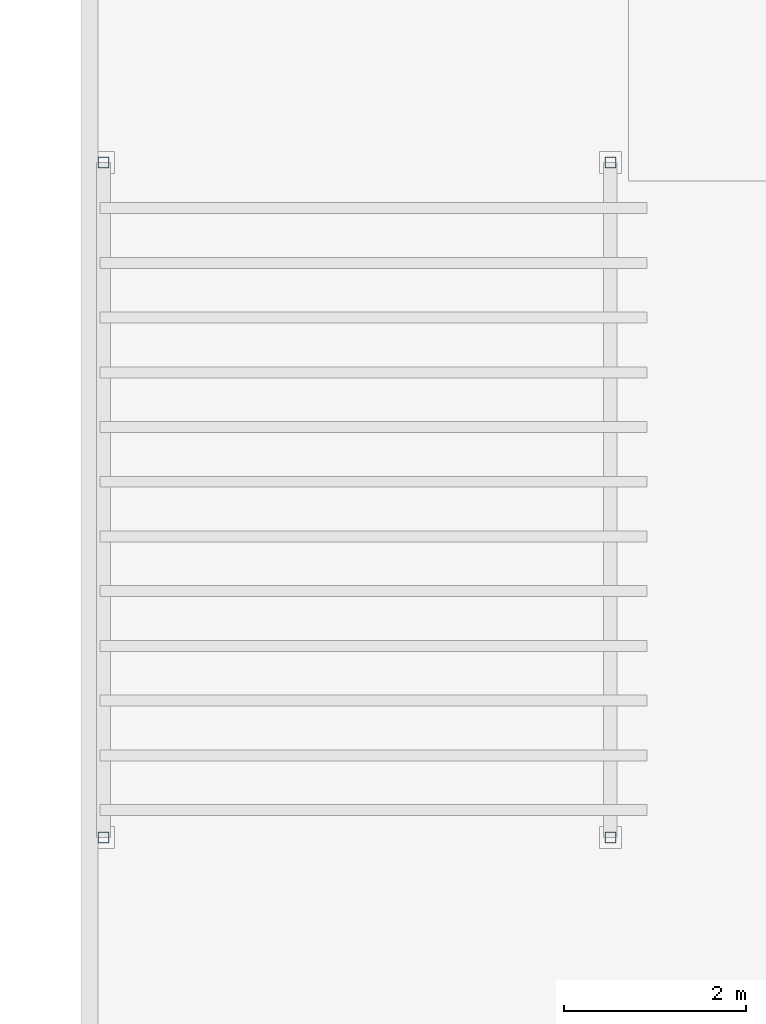
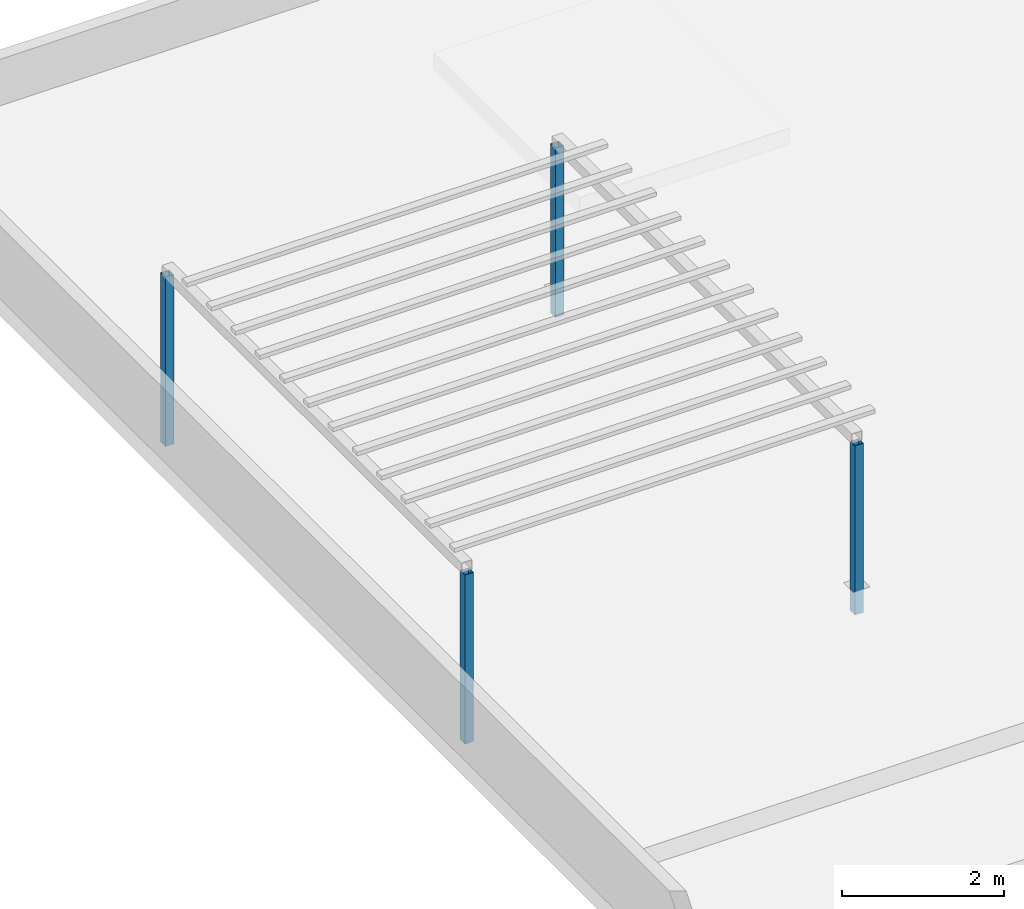
# One storey, part 1 of 92: 4 columns.
"""IFC4 building model written with IfcOpenShell, lengths in metres."""

from ifc_helpers import new_model, si_unit, direction, frame, origin, origin_2d, place, context, subcontext, project, spatial, hollow_rectangle, extrude, material, material_profile, profile_set, type_object, element, save


model = new_model("IFC4")

# Units and contexts
model_context = context("Model", 3, precision=1e-05, world=origin(), true_north=direction((0.0, 1.0)))
body_context = subcontext(model_context, "Body", "Model", "MODEL_VIEW")
ifc_project = project(units=[si_unit("LENGTHUNIT", "METRE"), si_unit("AREAUNIT", "SQUARE_METRE"), si_unit("VOLUMEUNIT", "CUBIC_METRE"), si_unit("PLANEANGLEUNIT", "RADIAN"), si_unit("MASSUNIT", "GRAM", prefix="KILO")], contexts=[model_context])

# Site, building, storey
site_placement = place(None, origin())
site = spatial("IfcSite", under=ifc_project, at=site_placement, CompositionType="ELEMENT")
building_placement = place(site_placement, origin())
building = spatial("IfcBuilding", under=site, at=building_placement, Name="Laocheng Heights Fire and Rescue Headquarters", CompositionType="ELEMENT")
storey_placement = place(building_placement, frame((0.0, 0.0, 12.60009765625)))
storey = spatial("IfcBuildingStorey", under=building, at=storey_placement, Name="L03", CompositionType="ELEMENT", Elevation=12.60009765625)

# Columns
ifc_material = material(Name="Steel Q355B", Category="steel")
ifc_material_profile = material_profile(ifc_material, hollow_rectangle(XDim=0.1201171875, YDim=0.1201171875, WallThickness=0.006103515625, at=origin_2d()), Name="RHS 120x120x6")
ifc_profile_set = profile_set([ifc_material_profile], Name="Steel Q355B")
column_type = type_object("IfcColumnType", Name="STEEL TRELLIS POST RHS 120x120x6", PredefinedType="COLUMN", material=ifc_profile_set)
for number, where, z_axis, x_axis, name in (
    (1, (0.239990234375, 7.199951171875, 0.0), (0.0, 0.0, 1.0), (1.0, 0.0, 0.0), "Pergola post"),
    (2, (0.239990234375, 14.60009765625, 0.0), (0.0, 0.0, 1.0), (1.0, 0.0, 0.0), "Pergola post"),
    (3, (5.800048828125, 7.199951171875, 0.0), (0.0, 0.0, 1.0), (1.0, 0.0, 0.0), "Pergola post"),
    (4, (5.800048828125, 14.60009765625, 0.0), (0.0, 0.0, 1.0), (1.0, 0.0, 0.0), "Pergola post"),
):
    element("IfcColumn", number, at=place(storey_placement, frame(where, z_axis=z_axis, x_axis=x_axis)), inside=storey, type_object=column_type, Name=name, PredefinedType="COLUMN", context=body_context, shape_type="SweptSolid", body=[
        extrude(hollow_rectangle(XDim=0.1201171875, YDim=0.1201171875, WallThickness=0.006103515625, at=origin_2d()), origin(), (0.0, 0.0, 1.0), 2.5498046875),
    ])

save(model, "model.ifc")
